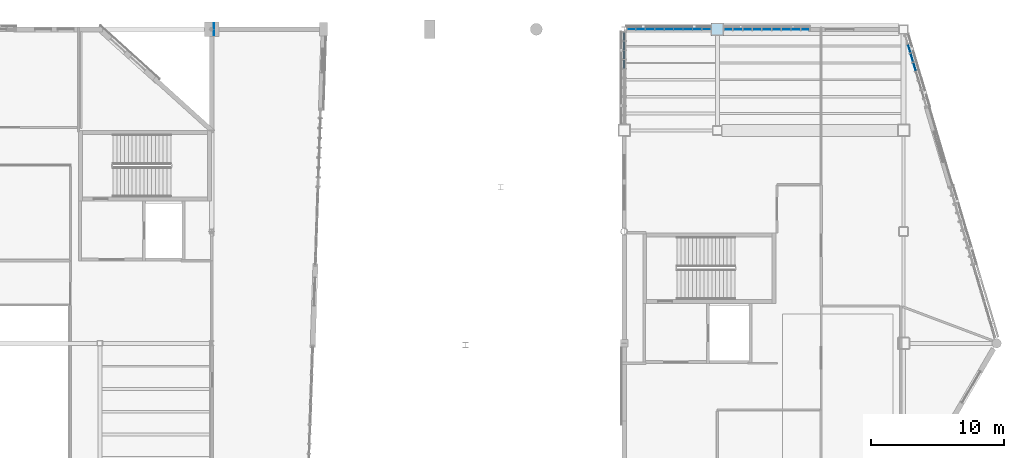
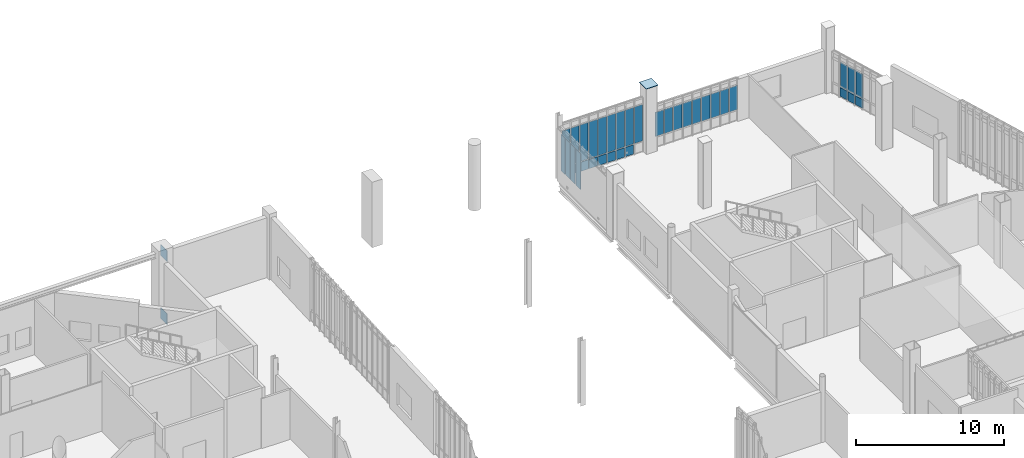
# One storey, part 82 of 127: 38 plates, 4 elements without a shape of their own.
"""IFC4 building model written with IfcOpenShell, lengths in metres."""

from ifc_helpers import new_model, si_unit, direction, frame, origin, origin_2d, place, context, subcontext, project, spatial, rectangle, extrude, material, layer, layer_set, type_object, element, aggregate, save


model = new_model("IFC4")

# Units and contexts
model_context = context("Model", 3, precision=1e-05, world=origin(), true_north=direction((0.0, 1.0)))
body_context = subcontext(model_context, "Body", "Model", "MODEL_VIEW")
ifc_project = project(units=[si_unit("LENGTHUNIT", "METRE"), si_unit("AREAUNIT", "SQUARE_METRE"), si_unit("VOLUMEUNIT", "CUBIC_METRE"), si_unit("PLANEANGLEUNIT", "RADIAN"), si_unit("MASSUNIT", "GRAM", prefix="KILO")], contexts=[model_context])

# Site, building, storey
site_placement = place(None, origin())
site = spatial("IfcSite", under=ifc_project, at=site_placement, CompositionType="ELEMENT")
building_placement = place(site_placement, origin())
building = spatial("IfcBuilding", under=site, at=building_placement, Name="Larkvane Passage Sports Hall", CompositionType="ELEMENT")
storey_placement = place(building_placement, frame((0.0, 0.0, 5.39990234375)))
storey = spatial("IfcBuildingStorey", under=building, at=storey_placement, Name="L01", CompositionType="ELEMENT", Elevation=5.39990234375)

# Curtain wall, plates
ifc_material_1 = material(Name="Thermally broken aluminium and low-E glazing", Category="aluminium")
curtain_wall_type_1 = type_object("IfcCurtainWallType", Name="CW-STICK-FOYER", PredefinedType="USERDEFINED", material=ifc_material_1)
curtain_wall_1_placement = place(storey_placement, origin())
curtain_wall_1 = element("IfcCurtainWall", 1, at=curtain_wall_1_placement, inside=storey, type_object=curtain_wall_type_1, Name="Curtain wall CW5-L01-054", ObjectType="STICK CURTAIN WALL", PredefinedType="USERDEFINED")
ifc_material_2 = material(Name="Fire-stopped shadow-box spandrel panel")
ifc_layer_1 = layer(ifc_material_2, 0.10498046875)
ifc_layer_set_1 = layer_set([ifc_layer_1], Name="Fire-stopped shadow-box spandrel panel")
plate_type_1 = type_object("IfcPlateType", Name="CWP-SPD-105", PredefinedType="CURTAIN_PANEL", material=ifc_layer_set_1)
plate_1_placement = place(storey_placement, frame((146.02783203125, 97.758056640625, 0.080078125), z_axis=(0.0, 0.0, 1.0), x_axis=(0.28436317806, -0.958716633299, 0.0)))
plate_1 = element("IfcPlate", 2, at=plate_1_placement, type_object=plate_type_1, Name="CW-03 panel 2.1", PredefinedType="CURTAIN_PANEL", context=body_context, shape_type="SweptSolid", body=[
    extrude(rectangle(XDim=0.63525390625, YDim=0.10498046875, at=origin_2d()), origin(), (0.0, 0.0, 1.0), 0.72998046875),
])
plate_2_placement = place(storey_placement, frame((146.231201171875, 97.072021484375, 0.080078125), z_axis=(0.0, 0.0, 1.0), x_axis=(0.28436317806, -0.958716633299, 0.0)))
plate_2 = element("IfcPlate", 3, at=plate_2_placement, type_object=plate_type_1, Name="CW-03 panel 3.1", PredefinedType="CURTAIN_PANEL", context=body_context, shape_type="SweptSolid", body=[
    extrude(rectangle(XDim=0.63525390625, YDim=0.10498046875, at=origin_2d()), origin(), (0.0, 0.0, 1.0), 0.72998046875),
])
plate_3_placement = place(storey_placement, frame((146.4345703125, 96.38623046875, 0.080078125), z_axis=(0.0, 0.0, 1.0), x_axis=(0.28436317806, -0.958716633299, 0.0)))
plate_3 = element("IfcPlate", 4, at=plate_3_placement, type_object=plate_type_1, Name="CW-03 panel 4.1", PredefinedType="CURTAIN_PANEL", context=body_context, shape_type="SweptSolid", body=[
    extrude(rectangle(XDim=0.63525390625, YDim=0.10498046875, at=origin_2d()), origin(), (0.0, 0.0, 1.0), 0.72998046875),
])

curtain_wall_type_2 = type_object("IfcCurtainWallType", Name="CW-UNIT-COURT", PredefinedType="USERDEFINED", material=ifc_material_1)
curtain_wall_2_placement = place(storey_placement, origin())
curtain_wall_2 = element("IfcCurtainWall", 5, at=curtain_wall_2_placement, inside=storey, type_object=curtain_wall_type_2, Name="Curtain wall CW5-L01-052", ObjectType="UNITISED CURTAIN WALL", PredefinedType="USERDEFINED")
ifc_material_3 = material(Name="Insulated aluminium spandrel panel", Category="aluminium")
ifc_layer_2 = layer(ifc_material_3, 0.06494140625)
ifc_layer_set_2 = layer_set([ifc_layer_2], Name="Insulated aluminium spandrel panel")
plate_type_2 = type_object("IfcPlateType", Name="CWP-SPD-65", PredefinedType="CURTAIN_PANEL", material=ifc_layer_set_2)
plate_4_placement = place(storey_placement, frame((125.834716796875, 99.199951171875, 0.06005859375), z_axis=(0.0, 0.0, 1.0), x_axis=(1.0, 0.0, 0.0)))
plate_4 = element("IfcPlate", 6, at=plate_4_placement, type_object=plate_type_2, Name="CW-01 panel 2.1", PredefinedType="CURTAIN_PANEL", context=body_context, shape_type="SweptSolid", body=[
    extrude(rectangle(XDim=0.649169921875, YDim=0.06494140625, at=origin_2d()), origin(), (0.0, 0.0, 1.0), 0.760009765625),
])
plate_5_placement = place(storey_placement, frame((126.5439453125, 99.199951171875, 0.06005859375), z_axis=(0.0, 0.0, 1.0), x_axis=(1.0, 0.0, 0.0)))
plate_5 = element("IfcPlate", 7, at=plate_5_placement, type_object=plate_type_2, Name="CW-01 panel 3.1", PredefinedType="CURTAIN_PANEL", context=body_context, shape_type="SweptSolid", body=[
    extrude(rectangle(XDim=0.649169921875, YDim=0.06494140625, at=origin_2d()), origin(), (0.0, 0.0, 1.0), 0.760009765625),
])
plate_6_placement = place(storey_placement, frame((127.253173828125, 99.199951171875, 0.06005859375), z_axis=(0.0, 0.0, 1.0), x_axis=(1.0, 0.0, 0.0)))
plate_6 = element("IfcPlate", 8, at=plate_6_placement, type_object=plate_type_2, Name="CW-01 panel 4.1", PredefinedType="CURTAIN_PANEL", context=body_context, shape_type="SweptSolid", body=[
    extrude(rectangle(XDim=0.649169921875, YDim=0.06494140625, at=origin_2d()), origin(), (0.0, 0.0, 1.0), 0.760009765625),
])
plate_7_placement = place(storey_placement, frame((127.96240234375, 99.199951171875, 0.06005859375), z_axis=(0.0, 0.0, 1.0), x_axis=(1.0, 0.0, 0.0)))
plate_7 = element("IfcPlate", 9, at=plate_7_placement, type_object=plate_type_2, Name="CW-01 panel 5.1", PredefinedType="CURTAIN_PANEL", context=body_context, shape_type="SweptSolid", body=[
    extrude(rectangle(XDim=0.649169921875, YDim=0.06494140625, at=origin_2d()), origin(), (0.0, 0.0, 1.0), 0.760009765625),
])
plate_8_placement = place(storey_placement, frame((128.671630859375, 99.199951171875, 0.06005859375), z_axis=(0.0, 0.0, 1.0), x_axis=(1.0, 0.0, 0.0)))
plate_8 = element("IfcPlate", 10, at=plate_8_placement, type_object=plate_type_2, Name="CW-01 panel 6.1", PredefinedType="CURTAIN_PANEL", context=body_context, shape_type="SweptSolid", body=[
    extrude(rectangle(XDim=0.649169921875, YDim=0.06494140625, at=origin_2d()), origin(), (0.0, 0.0, 1.0), 0.760009765625),
])
plate_9_placement = place(storey_placement, frame((129.380859375, 99.199951171875, 0.06005859375), z_axis=(0.0, 0.0, 1.0), x_axis=(1.0, 0.0, 0.0)))
plate_9 = element("IfcPlate", 11, at=plate_9_placement, type_object=plate_type_2, Name="CW-01 panel 7.1", PredefinedType="CURTAIN_PANEL", context=body_context, shape_type="SweptSolid", body=[
    extrude(rectangle(XDim=0.649169921875, YDim=0.06494140625, at=origin_2d()), origin(), (0.0, 0.0, 1.0), 0.760009765625),
])
plate_10_placement = place(storey_placement, frame((130.090087890625, 99.199951171875, 0.06005859375), z_axis=(0.0, 0.0, 1.0), x_axis=(1.0, 0.0, 0.0)))
plate_10 = element("IfcPlate", 12, at=plate_10_placement, type_object=plate_type_2, Name="CW-01 panel 8.1", PredefinedType="CURTAIN_PANEL", context=body_context, shape_type="SweptSolid", body=[
    extrude(rectangle(XDim=0.649169921875, YDim=0.06494140625, at=origin_2d()), origin(), (0.0, 0.0, 1.0), 0.760009765625),
])
ifc_material_4 = material(Name="Solar-control low-E double glazing", Category="glass")
ifc_layer_3 = layer(ifc_material_4, 0.028076171875)
ifc_layer_set_3 = layer_set([ifc_layer_3], Name="Solar-control low-E double glazing")
plate_type_3 = type_object("IfcPlateType", Name="CWP-VIS-28", PredefinedType="CURTAIN_PANEL", material=ifc_layer_set_3)
plate_11_placement = place(storey_placement, frame((125.140625, 99.199951171875, 0.880126953125), z_axis=(0.0, 0.0, 1.0), x_axis=(1.0, 0.0, 0.0)))
plate_11 = element("IfcPlate", 13, at=plate_11_placement, type_object=plate_type_3, Name="CW-01 panel 1.2", PredefinedType="CURTAIN_PANEL", context=body_context, shape_type="SweptSolid", body=[
    extrude(rectangle(XDim=0.619140625, YDim=0.028076171875, at=origin_2d()), origin(), (0.0, 0.0, 1.0), 3.02001953125),
])
plate_12_placement = place(storey_placement, frame((125.834716796875, 99.199951171875, 0.880126953125), z_axis=(0.0, 0.0, 1.0), x_axis=(1.0, 0.0, 0.0)))
plate_12 = element("IfcPlate", 14, at=plate_12_placement, type_object=plate_type_3, Name="CW-01 panel 2.2", PredefinedType="CURTAIN_PANEL", context=body_context, shape_type="SweptSolid", body=[
    extrude(rectangle(XDim=0.649169921875, YDim=0.028076171875, at=origin_2d()), origin(), (0.0, 0.0, 1.0), 3.02001953125),
])
plate_13_placement = place(storey_placement, frame((126.5439453125, 99.199951171875, 0.880126953125), z_axis=(0.0, 0.0, 1.0), x_axis=(1.0, 0.0, 0.0)))
plate_13 = element("IfcPlate", 15, at=plate_13_placement, type_object=plate_type_3, Name="CW-01 panel 3.2", PredefinedType="CURTAIN_PANEL", context=body_context, shape_type="SweptSolid", body=[
    extrude(rectangle(XDim=0.649169921875, YDim=0.028076171875, at=origin_2d()), origin(), (0.0, 0.0, 1.0), 3.02001953125),
])
plate_14_placement = place(storey_placement, frame((127.253173828125, 99.199951171875, 0.880126953125), z_axis=(0.0, 0.0, 1.0), x_axis=(1.0, 0.0, 0.0)))
plate_14 = element("IfcPlate", 16, at=plate_14_placement, type_object=plate_type_3, Name="CW-01 panel 4.2", PredefinedType="CURTAIN_PANEL", context=body_context, shape_type="SweptSolid", body=[
    extrude(rectangle(XDim=0.649169921875, YDim=0.028076171875, at=origin_2d()), origin(), (0.0, 0.0, 1.0), 3.02001953125),
])
plate_15_placement = place(storey_placement, frame((127.96240234375, 99.199951171875, 0.880126953125), z_axis=(0.0, 0.0, 1.0), x_axis=(1.0, 0.0, 0.0)))
plate_15 = element("IfcPlate", 17, at=plate_15_placement, type_object=plate_type_3, Name="CW-01 panel 5.2", PredefinedType="CURTAIN_PANEL", context=body_context, shape_type="SweptSolid", body=[
    extrude(rectangle(XDim=0.649169921875, YDim=0.028076171875, at=origin_2d()), origin(), (0.0, 0.0, 1.0), 3.02001953125),
])
plate_16_placement = place(storey_placement, frame((128.671630859375, 99.199951171875, 0.880126953125), z_axis=(0.0, 0.0, 1.0), x_axis=(1.0, 0.0, 0.0)))
plate_16 = element("IfcPlate", 18, at=plate_16_placement, type_object=plate_type_3, Name="CW-01 panel 6.2", PredefinedType="CURTAIN_PANEL", context=body_context, shape_type="SweptSolid", body=[
    extrude(rectangle(XDim=0.649169921875, YDim=0.028076171875, at=origin_2d()), origin(), (0.0, 0.0, 1.0), 3.02001953125),
])
plate_17_placement = place(storey_placement, frame((129.380859375, 99.199951171875, 0.880126953125), z_axis=(0.0, 0.0, 1.0), x_axis=(1.0, 0.0, 0.0)))
plate_17 = element("IfcPlate", 19, at=plate_17_placement, type_object=plate_type_3, Name="CW-01 panel 7.2", PredefinedType="CURTAIN_PANEL", context=body_context, shape_type="SweptSolid", body=[
    extrude(rectangle(XDim=0.649169921875, YDim=0.028076171875, at=origin_2d()), origin(), (0.0, 0.0, 1.0), 3.02001953125),
])
plate_18_placement = place(storey_placement, frame((130.090087890625, 99.199951171875, 0.880126953125), z_axis=(0.0, 0.0, 1.0), x_axis=(1.0, 0.0, 0.0)))
plate_18 = element("IfcPlate", 20, at=plate_18_placement, type_object=plate_type_3, Name="CW-01 panel 8.2", PredefinedType="CURTAIN_PANEL", context=body_context, shape_type="SweptSolid", body=[
    extrude(rectangle(XDim=0.649169921875, YDim=0.028076171875, at=origin_2d()), origin(), (0.0, 0.0, 1.0), 3.02001953125),
])
plate_19_placement = place(storey_placement, frame((130.784423828125, 99.199951171875, 0.880126953125), z_axis=(0.0, 0.0, 1.0), x_axis=(1.0, 0.0, 0.0)))
plate_19 = element("IfcPlate", 21, at=plate_19_placement, type_object=plate_type_3, Name="CW-01 panel 9.2", PredefinedType="CURTAIN_PANEL", context=body_context, shape_type="SweptSolid", body=[
    extrude(rectangle(XDim=0.619140625, YDim=0.028076171875, at=origin_2d()), origin(), (0.0, 0.0, 1.0), 3.02001953125),
])
aggregate(curtain_wall_2, [plate_11, plate_4, plate_12, plate_5, plate_13, plate_6, plate_14, plate_7, plate_15, plate_8, plate_16, plate_9, plate_17, plate_10, plate_18, plate_19])

curtain_wall_type_3 = type_object("IfcCurtainWallType", Name="CW-UNIT-VEIL", PredefinedType="USERDEFINED", material=ifc_material_1)
curtain_wall_3_placement = place(storey_placement, origin())
curtain_wall_3 = element("IfcCurtainWall", 22, at=curtain_wall_3_placement, inside=storey, type_object=curtain_wall_type_3, Name="Curtain wall CW5-L01-053", ObjectType="UNITISED CURTAIN WALL", PredefinedType="USERDEFINED")
ifc_material_5 = material(Name="Laminated acoustic low-E glazing", Category="glass")
ifc_layer_4 = layer(ifc_material_5, 0.031982421875)
ifc_layer_set_4 = layer_set([ifc_layer_4], Name="Laminated acoustic low-E glazing")
plate_type_4 = type_object("IfcPlateType", Name="CWP-VIS-32", PredefinedType="CURTAIN_PANEL", material=ifc_layer_set_4)
plate_20_placement = place(storey_placement, frame((132.427490234375, 99.199951171875, 0.885009765625), z_axis=(0.0, 0.0, 1.0), x_axis=(1.0, 0.0, 0.0)))
plate_20 = element("IfcPlate", 23, at=plate_20_placement, type_object=plate_type_4, Name="CW-02 panel 1.2", PredefinedType="CURTAIN_PANEL", context=body_context, shape_type="SweptSolid", body=[
    extrude(rectangle(XDim=0.623291015625, YDim=0.031982421875, at=origin_2d()), origin(), (0.0, 0.0, 1.0), 1.998046875),
])
plate_21_placement = place(storey_placement, frame((133.138427734375, 99.199951171875, 0.885009765625), z_axis=(0.0, 0.0, 1.0), x_axis=(1.0, 0.0, 0.0)))
plate_21 = element("IfcPlate", 24, at=plate_21_placement, type_object=plate_type_4, Name="CW-02 panel 2.2", PredefinedType="CURTAIN_PANEL", context=body_context, shape_type="SweptSolid", body=[
    extrude(rectangle(XDim=0.658203125, YDim=0.031982421875, at=origin_2d()), origin(), (0.0, 0.0, 1.0), 1.998046875),
])
plate_22_placement = place(storey_placement, frame((133.866455078125, 99.199951171875, 0.885009765625), z_axis=(0.0, 0.0, 1.0), x_axis=(1.0, 0.0, 0.0)))
plate_22 = element("IfcPlate", 25, at=plate_22_placement, type_object=plate_type_4, Name="CW-02 panel 3.2", PredefinedType="CURTAIN_PANEL", context=body_context, shape_type="SweptSolid", body=[
    extrude(rectangle(XDim=0.658203125, YDim=0.031982421875, at=origin_2d()), origin(), (0.0, 0.0, 1.0), 1.998046875),
])
plate_23_placement = place(storey_placement, frame((134.5947265625, 99.199951171875, 0.885009765625), z_axis=(0.0, 0.0, 1.0), x_axis=(1.0, 0.0, 0.0)))
plate_23 = element("IfcPlate", 26, at=plate_23_placement, type_object=plate_type_4, Name="CW-02 panel 4.2", PredefinedType="CURTAIN_PANEL", context=body_context, shape_type="SweptSolid", body=[
    extrude(rectangle(XDim=0.658203125, YDim=0.031982421875, at=origin_2d()), origin(), (0.0, 0.0, 1.0), 1.998046875),
])
plate_24_placement = place(storey_placement, frame((135.322998046875, 99.199951171875, 0.885009765625), z_axis=(0.0, 0.0, 1.0), x_axis=(1.0, 0.0, 0.0)))
plate_24 = element("IfcPlate", 27, at=plate_24_placement, type_object=plate_type_4, Name="CW-02 panel 5.2", PredefinedType="CURTAIN_PANEL", context=body_context, shape_type="SweptSolid", body=[
    extrude(rectangle(XDim=0.658203125, YDim=0.031982421875, at=origin_2d()), origin(), (0.0, 0.0, 1.0), 1.998046875),
])
plate_25_placement = place(storey_placement, frame((136.05126953125, 99.199951171875, 0.885009765625), z_axis=(0.0, 0.0, 1.0), x_axis=(1.0, 0.0, 0.0)))
plate_25 = element("IfcPlate", 28, at=plate_25_placement, type_object=plate_type_4, Name="CW-02 panel 6.2", PredefinedType="CURTAIN_PANEL", context=body_context, shape_type="SweptSolid", body=[
    extrude(rectangle(XDim=0.658203125, YDim=0.031982421875, at=origin_2d()), origin(), (0.0, 0.0, 1.0), 1.998046875),
])
plate_26_placement = place(storey_placement, frame((136.779541015625, 99.199951171875, 0.885009765625), z_axis=(0.0, 0.0, 1.0), x_axis=(1.0, 0.0, 0.0)))
plate_26 = element("IfcPlate", 29, at=plate_26_placement, type_object=plate_type_4, Name="CW-02 panel 7.2", PredefinedType="CURTAIN_PANEL", context=body_context, shape_type="SweptSolid", body=[
    extrude(rectangle(XDim=0.658203125, YDim=0.031982421875, at=origin_2d()), origin(), (0.0, 0.0, 1.0), 1.998046875),
])
plate_27_placement = place(storey_placement, frame((137.507568359375, 99.199951171875, 0.885009765625), z_axis=(0.0, 0.0, 1.0), x_axis=(1.0, 0.0, 0.0)))
plate_27 = element("IfcPlate", 30, at=plate_27_placement, type_object=plate_type_4, Name="CW-02 panel 8.2", PredefinedType="CURTAIN_PANEL", context=body_context, shape_type="SweptSolid", body=[
    extrude(rectangle(XDim=0.658203125, YDim=0.031982421875, at=origin_2d()), origin(), (0.0, 0.0, 1.0), 1.998046875),
])
plate_28_placement = place(storey_placement, frame((138.218505859375, 99.199951171875, 0.885009765625), z_axis=(0.0, 0.0, 1.0), x_axis=(1.0, 0.0, 0.0)))
plate_28 = element("IfcPlate", 31, at=plate_28_placement, type_object=plate_type_4, Name="CW-02 panel 9.2", PredefinedType="CURTAIN_PANEL", context=body_context, shape_type="SweptSolid", body=[
    extrude(rectangle(XDim=0.623291015625, YDim=0.031982421875, at=origin_2d()), origin(), (0.0, 0.0, 1.0), 1.998046875),
])
aggregate(curtain_wall_3, [plate_20, plate_21, plate_22, plate_23, plate_24, plate_25, plate_26, plate_27, plate_28])

# Plate
ifc_material_6 = material(Name="High-impact court low-E glazing", Category="glass")
ifc_layer_5 = layer(ifc_material_6, 0.035888671875)
ifc_layer_set_5 = layer_set([ifc_layer_5], Name="High-impact court low-E glazing")
plate_type_5 = type_object("IfcPlateType", Name="CWP-VIS-36", PredefinedType="CURTAIN_PANEL", material=ifc_layer_set_5)
plate_29_placement = place(storey_placement, frame((146.02783203125, 97.758056640625, 0.89013671875), z_axis=(0.0, 0.0, 1.0), x_axis=(0.28436317806, -0.958716633299, 0.0)))
plate_29 = element("IfcPlate", 32, at=plate_29_placement, type_object=plate_type_5, Name="CW-03 panel 2.2", PredefinedType="CURTAIN_PANEL", context=body_context, shape_type="SweptSolid", body=[
    extrude(rectangle(XDim=0.63525390625, YDim=0.035888671875, at=origin_2d()), origin(), (0.0, 0.0, 1.0), 1.988037109375),
])

plate_30_placement = place(storey_placement, frame((146.231201171875, 97.072021484375, 0.89013671875), z_axis=(0.0, 0.0, 1.0), x_axis=(0.28436317806, -0.958716633299, 0.0)))
plate_30 = element("IfcPlate", 33, at=plate_30_placement, type_object=plate_type_5, Name="CW-03 panel 3.2", PredefinedType="CURTAIN_PANEL", context=body_context, shape_type="SweptSolid", body=[
    extrude(rectangle(XDim=0.63525390625, YDim=0.035888671875, at=origin_2d()), origin(), (0.0, 0.0, 1.0), 1.988037109375),
])

plate_31_placement = place(storey_placement, frame((146.4345703125, 96.38623046875, 0.89013671875), z_axis=(0.0, 0.0, 1.0), x_axis=(0.28436317806, -0.958716633299, 0.0)))
plate_31 = element("IfcPlate", 34, at=plate_31_placement, type_object=plate_type_5, Name="CW-03 panel 4.2", PredefinedType="CURTAIN_PANEL", context=body_context, shape_type="SweptSolid", body=[
    extrude(rectangle(XDim=0.63525390625, YDim=0.035888671875, at=origin_2d()), origin(), (0.0, 0.0, 1.0), 1.988037109375),
])

aggregate(curtain_wall_1, [plate_1, plate_29, plate_2, plate_30, plate_3, plate_31])

# Curtain wall, plates
curtain_wall_type_4 = type_object("IfcCurtainWallType", Name="CW-CLINIC", PredefinedType="USERDEFINED", material=ifc_material_1)
curtain_wall_4_placement = place(storey_placement, origin())
curtain_wall_4 = element("IfcCurtainWall", 35, at=curtain_wall_4_placement, inside=storey, type_object=curtain_wall_type_4, Name="Curtain wall CW5-L01-051", ObjectType="UNITISED CURTAIN WALL", PredefinedType="USERDEFINED")
ifc_material_7 = material(Name="Triple-laminated typhoon glazing", Category="glass")
ifc_layer_6 = layer(ifc_material_7, 0.0419921875)
ifc_layer_set_6 = layer_set([ifc_layer_6], Name="Triple-laminated typhoon glazing")
plate_type_6 = type_object("IfcPlateType", Name="CWP-VIS-42", PredefinedType="CURTAIN_PANEL", material=ifc_layer_set_6)
plate_32_placement = place(storey_placement, frame((124.60009765625, 96.5849609375, 0.900146484375), z_axis=(0.0, 0.0, 1.0), x_axis=(0.0, 1.0, 0.0)))
plate_32 = element("IfcPlate", 36, at=plate_32_placement, type_object=plate_type_6, Name="CW-05 panel 7.2", PredefinedType="CURTAIN_PANEL", context=body_context, shape_type="SweptSolid", body=[
    extrude(rectangle(XDim=0.598388671875, YDim=0.0419921875, at=origin_2d()), origin(), (0.0, 0.0, 1.0), 2.97998046875),
])
plate_33_placement = place(storey_placement, frame((124.60009765625, 97.283203125, 0.900146484375), z_axis=(0.0, 0.0, 1.0), x_axis=(0.0, 1.0, 0.0)))
plate_33 = element("IfcPlate", 37, at=plate_33_placement, type_object=plate_type_6, Name="CW-05 panel 8.2", PredefinedType="CURTAIN_PANEL", context=body_context, shape_type="SweptSolid", body=[
    extrude(rectangle(XDim=0.598388671875, YDim=0.0419921875, at=origin_2d()), origin(), (0.0, 0.0, 1.0), 2.97998046875),
])
plate_34_placement = place(storey_placement, frame((124.60009765625, 97.9814453125, 0.900146484375), z_axis=(0.0, 0.0, 1.0), x_axis=(0.0, 1.0, 0.0)))
plate_34 = element("IfcPlate", 38, at=plate_34_placement, type_object=plate_type_6, Name="CW-05 panel 9.2", PredefinedType="CURTAIN_PANEL", context=body_context, shape_type="SweptSolid", body=[
    extrude(rectangle(XDim=0.598388671875, YDim=0.0419921875, at=origin_2d()), origin(), (0.0, 0.0, 1.0), 2.97998046875),
])
plate_35_placement = place(storey_placement, frame((124.60009765625, 98.65478515625, 0.900146484375), z_axis=(0.0, 0.0, 1.0), x_axis=(0.0, 1.0, 0.0)))
plate_35 = element("IfcPlate", 39, at=plate_35_placement, type_object=plate_type_6, Name="CW-05 panel 10.2", PredefinedType="CURTAIN_PANEL", context=body_context, shape_type="SweptSolid", body=[
    extrude(rectangle(XDim=0.54833984375, YDim=0.0419921875, at=origin_2d()), origin(), (0.0, 0.0, 1.0), 2.97998046875),
])
aggregate(curtain_wall_4, [plate_32, plate_33, plate_34, plate_35])

# Plates
ifc_material_8 = material(Name="Steel S460N", Category="steel")
ifc_layer_7 = layer(ifc_material_8, 0.035888671875)
ifc_layer_set_7 = layer_set([ifc_layer_7], Name="Steel S460N")
plate_type_7 = type_object("IfcPlateType", Name="PLT-CAP-36", PredefinedType="SHEET", material=ifc_layer_set_7)
plate_36_placement = place(storey_placement, frame((131.60009765625, 99.199951171875, 5.400390625), z_axis=(0.0, 0.0, 1.0), x_axis=(1.0, 0.0, 0.0)))
element("IfcPlate", 40, at=plate_36_placement, inside=storey, type_object=plate_type_7, Name="Hollow section sealed end cap plate 0034", PredefinedType="SHEET", context=body_context, shape_type="SweptSolid", body=[
    extrude(rectangle(XDim=0.93994140625, YDim=0.93994140625, at=origin_2d()), origin(), (0.0, 0.0, 1.0), 0.035888671875),
])
ifc_layer_8 = layer(ifc_material_8, 0.031982421875)
ifc_layer_set_8 = layer_set([ifc_layer_8], Name="Steel S460N")
plate_type_8 = type_object("IfcPlateType", Name="PLT-GUS-32", PredefinedType="USERDEFINED", material=ifc_layer_set_8)
for number, where, z_axis, x_axis, name in (
    (41, (93.76611328125, 99.199951171875, -0.973876953125), (0.0, 0.0, 1.0), (0.0, 1.0, 0.0), "Truss node gusset plate ND-3B (CT-N1A-2)"),
    (42, (93.76611328125, 99.199951171875, 4.236083984375), (0.0, 0.0, 1.0), (0.0, 1.0, 0.0), "Truss node gusset plate ND-3T (CT-N1A-2)"),
):
    element("IfcPlate", number, at=place(storey_placement, frame(where, z_axis=z_axis, x_axis=x_axis)), inside=storey, type_object=plate_type_8, Name=name, ObjectType="GUSSET PLATE", PredefinedType="USERDEFINED", context=body_context, shape_type="SweptSolid", body=[
        extrude(rectangle(XDim=0.89990234375, YDim=0.031982421875, at=origin_2d()), origin(), (0.0, 0.0, 1.0), 0.89990234375),
    ])

save(model, "model.ifc")
